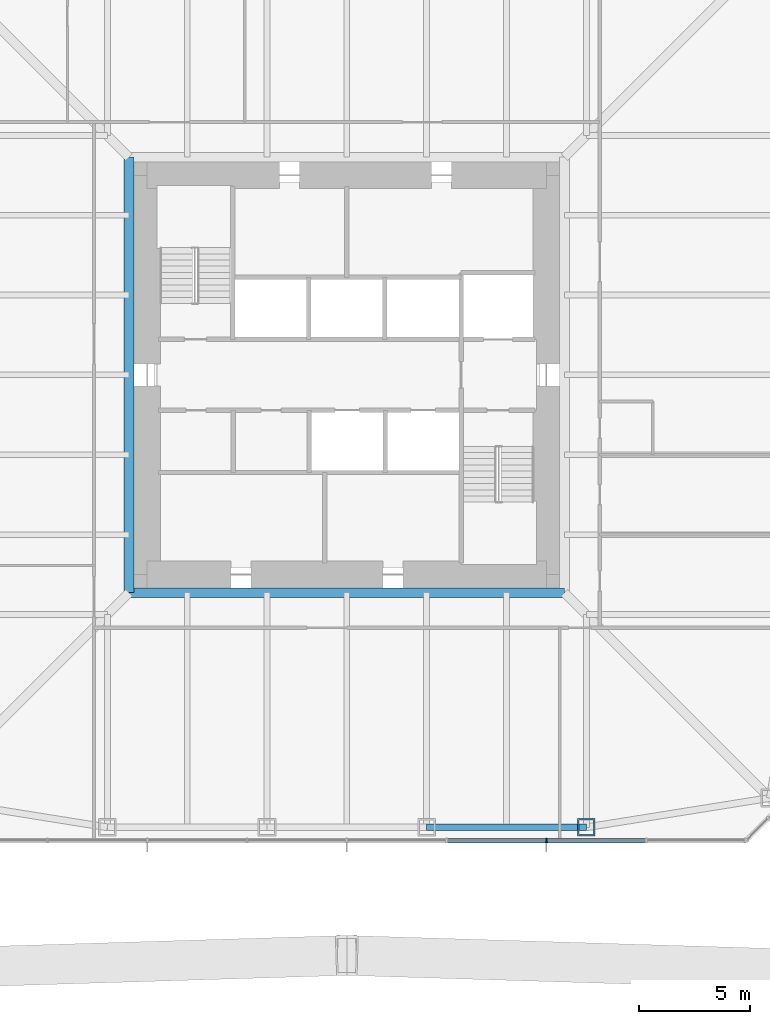
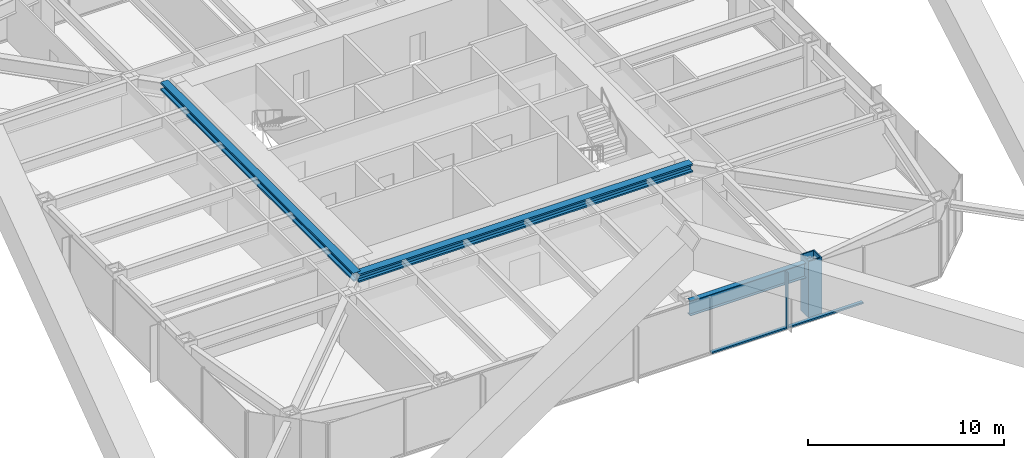
# One storey, part 2 of 21: 4 members, 3 beams, 1 element without a shape of its own.
"""IFC4 building model written with IfcOpenShell, lengths in metres."""

from ifc_helpers import new_model, si_unit, direction, frame, origin, origin_2d, place, context, subcontext, project, spatial, rectangle, hollow_rectangle, i_section, extrude, material, material_profile, profile_set, type_object, element, aggregate, save


model = new_model("IFC4")

# Units and contexts
model_context = context("Model", 3, precision=1e-05, world=origin(), true_north=direction((0.0, 1.0)))
body_context = subcontext(model_context, "Body", "Model", "MODEL_VIEW")
ifc_project = project(units=[si_unit("LENGTHUNIT", "METRE"), si_unit("AREAUNIT", "SQUARE_METRE"), si_unit("VOLUMEUNIT", "CUBIC_METRE"), si_unit("PLANEANGLEUNIT", "RADIAN"), si_unit("MASSUNIT", "GRAM", prefix="KILO")], contexts=[model_context])

# Site, building, storey
site_placement = place(None, origin())
site = spatial("IfcSite", under=ifc_project, at=site_placement, CompositionType="ELEMENT")
building_placement = place(site_placement, origin())
building = spatial("IfcBuilding", under=site, at=building_placement, Name="Iwan Alto Co-Living Towers", CompositionType="ELEMENT")
storey_placement = place(building_placement, frame((0.0, 0.0, 80.5)))
storey = spatial("IfcBuildingStorey", under=building, at=storey_placement, Name="L21", CompositionType="ELEMENT", Elevation=80.5)

# Curtain wall, members
ifc_material_1 = material(Name="Bronze aluminium unitised frame", Category="aluminium")
curtain_wall_type = type_object("IfcCurtainWallType", Name="CURTAIN WALL CW-A", PredefinedType="NOTDEFINED", material=ifc_material_1)
curtain_wall_placement = place(storey_placement, origin())
curtain_wall = element("IfcCurtainWall", 1, at=curtain_wall_placement, inside=storey, type_object=curtain_wall_type, Name="T1 curtain wall S L21", PredefinedType="NOTDEFINED")
ifc_material_2 = material(Name="Aluminium 6063-T6 bronze anodised", Category="aluminium")
ifc_material_profile_1 = material_profile(ifc_material_2, rectangle(XDim=0.199951171875, YDim=0.080078125, at=origin_2d()), Name="AL 80X200")
ifc_profile_set_1 = profile_set([ifc_material_profile_1], Name="Aluminium 6063-T6 bronze anodised")
member_type_1 = type_object("IfcMemberType", Name="CW-A MULLION 80X200", PredefinedType="MULLION", material=ifc_profile_set_1)
member_1_placement = place(storey_placement, frame((9.0, -21.0, 0.0), z_axis=(0.0, 0.0, 1.0), x_axis=(0.0, 1.0, 0.0)))
member_1 = element("IfcMember", 2, at=member_1_placement, type_object=member_type_1, Name="CW-A mullion 7", PredefinedType="MULLION", context=body_context, shape_type="SweptSolid", body=[
    extrude(rectangle(XDim=0.199951171875, YDim=0.080078125, at=origin_2d()), origin(), (0.0, 0.0, 1.0), 3.5),
])
ifc_material_3 = material(Name="Aluminium 6063-T6 bronze anodised", Category="aluminium")
ifc_material_profile_2 = material_profile(ifc_material_3, rectangle(XDim=0.199951171875, YDim=0.10009765625, at=origin_2d()), Name="AL 200X100")
ifc_profile_set_2 = profile_set([ifc_material_profile_2], Name="Aluminium 6063-T6 bronze anodised")
member_type_2 = type_object("IfcMemberType", Name="CW-A TRANSOM 200X100", PredefinedType="USERDEFINED", material=ifc_profile_set_2)
member_2_placement = place(storey_placement, frame((4.5400390625, -21.0, 0.050048828125), z_axis=(1.0, 0.0, 0.0), x_axis=(0.0, 1.0, 0.0)))
member_2 = element("IfcMember", 3, at=member_2_placement, type_object=member_type_2, Name="CW-A transom 6.1", ObjectType="TRANSOM", PredefinedType="USERDEFINED", context=body_context, shape_type="SweptSolid", body=[
    extrude(rectangle(XDim=0.199951171875, YDim=0.10009765625, at=origin_2d()), origin(), (0.0, 0.0, 1.0), 4.419921875),
])
member_3_placement = place(storey_placement, frame((9.0400390625, -21.0, 0.050048828125), z_axis=(1.0, 0.0, 0.0), x_axis=(0.0, 1.0, 0.0)))
member_3 = element("IfcMember", 4, at=member_3_placement, type_object=member_type_2, Name="CW-A transom 7.1", ObjectType="TRANSOM", PredefinedType="USERDEFINED", context=body_context, shape_type="SweptSolid", body=[
    extrude(rectangle(XDim=0.199951171875, YDim=0.10009765625, at=origin_2d()), origin(), (0.0, 0.0, 1.0), 4.419921875),
])
aggregate(curtain_wall, [member_1, member_2, member_3])

# Beams
ifc_material_4 = material(Name="Steel ASTM A992 Gr 50", Category="steel")
ifc_material_profile_3 = material_profile(ifc_material_4, i_section(OverallWidth=0.436767578125, OverallDepth=0.51318359375, WebThickness=0.060546875, FlangeThickness=0.096923828125, at=origin_2d()), Name="W14X550")
ifc_profile_set_3 = profile_set([ifc_material_profile_3], Name="Steel ASTM A992 Gr 50")
beam_type_1 = type_object("IfcBeamType", Name="T1 CORE LEDGER BEAM W14X550", PredefinedType="BEAM", material=ifc_profile_set_3)
for number, where, z_axis, x_axis, name in (
    (5, (-9.818359375, -9.818359375, 3.013427734375), (1.0, 0.0, 0.0), (0.0, 1.0, 0.0), "T1 core ledger beam S L22"),
    (6, (-9.818359375, 9.818359375, 3.013427734375), (0.0, -1.0, 0.0), (1.0, 0.0, 0.0), "T1 core ledger beam W L22"),
):
    element("IfcBeam", number, at=place(storey_placement, frame(where, z_axis=z_axis, x_axis=x_axis)), inside=storey, type_object=beam_type_1, Name=name, PredefinedType="BEAM", context=body_context, shape_type="SweptSolid", body=[
        extrude(i_section(OverallWidth=0.436767578125, OverallDepth=0.51318359375, WebThickness=0.060546875, FlangeThickness=0.096923828125, at=origin_2d()), origin(), (0.0, 0.0, 1.0), 19.63671875),
    ])
ifc_material_5 = material(Name="Steel ASTM A992 Gr 50", Category="steel")
ifc_material_profile_4 = material_profile(ifc_material_5, i_section(OverallWidth=0.307373046875, OverallDepth=0.927001953125, WebThickness=0.01953125, FlangeThickness=0.031982421875, at=origin_2d()), Name="W36X194")
ifc_profile_set_4 = profile_set([ifc_material_profile_4], Name="Steel ASTM A992 Gr 50")
beam_type_2 = type_object("IfcBeamType", Name="T1 EDGE BEAM W36X194", PredefinedType="BEAM", material=ifc_profile_set_4)
beam_placement = place(storey_placement, frame((3.60009765625, -20.39990234375, 2.806396484375), z_axis=(1.0, 0.0, 0.0), x_axis=(0.0, 1.0, 0.0)))
element("IfcBeam", 7, at=beam_placement, inside=storey, type_object=beam_type_2, Name="T1 edge beam S3 L22", PredefinedType="BEAM", context=body_context, shape_type="SweptSolid", body=[
    extrude(i_section(OverallWidth=0.307373046875, OverallDepth=0.927001953125, WebThickness=0.01953125, FlangeThickness=0.031982421875, at=origin_2d()), origin(), (0.0, 0.0, 1.0), 7.199951171875),
])

# Member
ifc_material_6 = material(Name="Steel ASTM A572 Gr 50", Category="steel")
ifc_material_profile_5 = material_profile(ifc_material_6, hollow_rectangle(XDim=0.800048828125, YDim=0.800048828125, WallThickness=0.070068359375, at=origin_2d()), Name="BOX 800X800X70")
ifc_profile_set_5 = profile_set([ifc_material_profile_5], Name="Steel ASTM A572 Gr 50")
member_type_3 = type_object("IfcMemberType", Name="T1 RING POST AT STEP BOX 800X800X70", PredefinedType="MEMBER", material=ifc_profile_set_5)
member_4_placement = place(storey_placement, frame((10.800048828125, -20.39990234375, 0.0), z_axis=(0.0, 0.0, 1.0), x_axis=(1.0, 0.0, 0.0)))
element("IfcMember", 8, at=member_4_placement, inside=storey, type_object=member_type_3, Name="T1 ring post at step S4 L21", PredefinedType="MEMBER", context=body_context, shape_type="SweptSolid", body=[
    extrude(hollow_rectangle(XDim=0.800048828125, YDim=0.800048828125, WallThickness=0.070068359375, at=origin_2d()), origin(), (0.0, 0.0, 1.0), 3.5),
])

save(model, "model.ifc")
